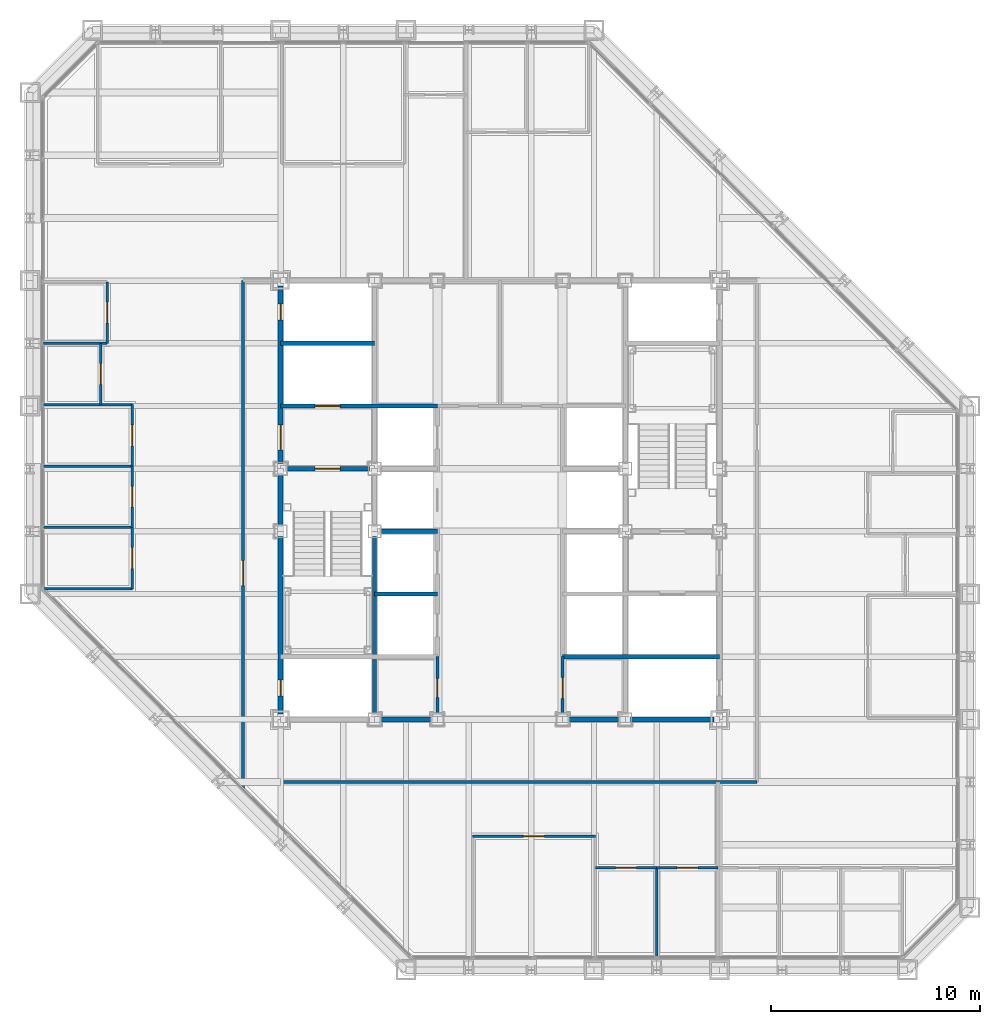
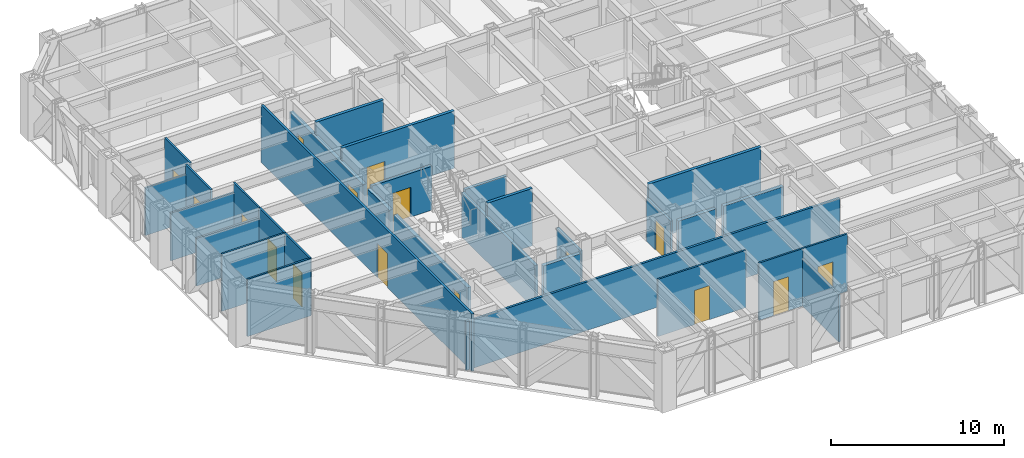
# One storey, part 10 of 16: 31 walls, 16 doors, 16 openings.
"""IFC4 building model written with IfcOpenShell, lengths in metres."""

from ifc_helpers import new_model, si_unit, direction, frame, frame_2d, origin, place, context, subcontext, project, spatial, rectangle, extrude, material, layer, layer_set, type_object, element, fill, save


model = new_model("IFC4")

# Units and contexts
model_context = context("Model", 3, precision=1e-05, world=origin(), true_north=direction((0.0, 1.0)))
body_context = subcontext(model_context, "Body", "Model", "MODEL_VIEW")
ifc_project = project(units=[si_unit("LENGTHUNIT", "METRE"), si_unit("AREAUNIT", "SQUARE_METRE"), si_unit("VOLUMEUNIT", "CUBIC_METRE"), si_unit("PLANEANGLEUNIT", "RADIAN"), si_unit("MASSUNIT", "GRAM", prefix="KILO")], contexts=[model_context])

# Site, building, storey
site_placement = place(None, origin())
site = spatial("IfcSite", under=ifc_project, at=site_placement, CompositionType="ELEMENT")
building_placement = place(site_placement, origin())
building = spatial("IfcBuilding", under=site, at=building_placement, Name="Chuquiago Exchange Tower", CompositionType="ELEMENT")
storey_placement = place(building_placement, frame((0.0, 0.0, 161.39990234375)))
storey = spatial("IfcBuildingStorey", under=building, at=storey_placement, Name="L35", CompositionType="ELEMENT", Elevation=161.39990234375)

# Wall, opening, door
ifc_material_1 = material(Name="Concrete masonry, fully grouted", Category="masonry")
ifc_layer_1 = layer(ifc_material_1, 0.25)
ifc_layer_set_1 = layer_set([ifc_layer_1], Name="W1 core wall 250")
wall_type_1 = type_object("IfcWallType", Name="W1 core wall 250", PredefinedType="SOLIDWALL", material=ifc_layer_set_1)
wall_1_placement = place(storey_placement, frame((12.0, 12.25, 0.0), z_axis=(0.0, 0.0, 1.0), x_axis=(0.0, 1.0, 0.0)))
wall_1 = element("IfcWall", 1, at=wall_1_placement, inside=storey, type_object=wall_type_1, Name="CW-L35-00-0", PredefinedType="SOLIDWALL", context=body_context, shape_type="SweptSolid", body=[
    extrude(rectangle(XDim=8.5, YDim=0.25, at=frame_2d((4.25, 0.0))), origin(), (0.0, 0.0, 1.0), 3.113037109375),
])
opening_1_placement = place(wall_1_placement, frame((0.875, 0.0, 0.0)))
opening_1 = element("IfcOpeningElement", 2, at=opening_1_placement, cuts=wall_1, Name="Opening L35-007", PredefinedType="OPENING", context=body_context, shape_type="SweptSolid", body=[
    extrude(rectangle(XDim=0.75, YDim=2.10009765625, at=frame_2d((0.375, 1.050048828125))), frame((0.0, 0.135009765625, 0.0), z_axis=(0.0, -1.0, 0.0), x_axis=(1.0, 0.0, 0.0)), (0.0, 0.0, 1.0), 0.27001953125),
])
ifc_material_2 = material(Name="Steel door, painted", Category="steel")
door_type_1 = type_object("IfcDoorType", Name="D6 riser access door 750x2100", OperationType="SINGLE_SWING_LEFT", PredefinedType="DOOR", material=ifc_material_2)
door_1_placement = place(opening_1_placement, frame((0.75, 0.0, 0.0), z_axis=(0.0, 0.0, 1.0), x_axis=(-1.0, 0.0, 0.0)))
door_1 = element("IfcDoor", 3, at=door_1_placement, inside=storey, type_object=door_type_1, Name="Riser RW1 door", OperationType="SINGLE_SWING_RIGHT", OverallHeight=2.10009765625, OverallWidth=0.75, PredefinedType="DOOR", context=body_context, shape_type="SweptSolid", body=[
    extrude(rectangle(XDim=0.75, YDim=2.10009765625, at=frame_2d((0.375, 1.050048828125))), frame((0.0, 0.02490234375, 0.0), z_axis=(0.0, -1.0, 0.0), x_axis=(1.0, 0.0, 0.0)), (0.0, 0.0, 1.0), 0.050048828125),
])
fill(opening_1, door_1)

# Wall
wall_2_placement = place(storey_placement, frame((12.0, 21.25, 0.0), z_axis=(0.0, 0.0, 1.0), x_axis=(0.0, 1.0, 0.0)))
element("IfcWall", 4, at=wall_2_placement, inside=storey, type_object=wall_type_1, Name="CW-L35-00-1", PredefinedType="SOLIDWALL", context=body_context, shape_type="SweptSolid", body=[
    extrude(rectangle(XDim=2.5, YDim=0.25, at=frame_2d((1.25, 0.0))), origin(), (0.0, 0.0, 1.0), 3.113037109375),
])

# Wall, openings, doors
wall_3_placement = place(storey_placement, frame((12.0, 24.25, 0.0), z_axis=(0.0, 0.0, 1.0), x_axis=(0.0, 1.0, 0.0)))
wall_3 = element("IfcWall", 5, at=wall_3_placement, inside=storey, type_object=wall_type_1, Name="CW-L35-00-2", PredefinedType="SOLIDWALL", context=body_context, shape_type="SweptSolid", body=[
    extrude(rectangle(XDim=8.5, YDim=0.25, at=frame_2d((4.25, 0.0))), origin(), (0.0, 0.0, 1.0), 3.113037109375),
])
opening_2_placement = place(wall_3_placement, frame((0.64990234375, 0.0, 0.0)))
opening_2 = element("IfcOpeningElement", 6, at=opening_2_placement, cuts=wall_3, Name="Opening L35-002", PredefinedType="OPENING", context=body_context, shape_type="SweptSolid", body=[
    extrude(rectangle(XDim=1.199951171875, YDim=2.10009765625, at=frame_2d((0.60009765625, 1.050048828125))), frame((0.0, 0.135009765625, 0.0), z_axis=(0.0, -1.0, 0.0), x_axis=(1.0, 0.0, 0.0)), (0.0, 0.0, 1.0), 0.27001953125),
])
opening_3_placement = place(wall_3_placement, frame((6.875, 0.0, 0.0)))
opening_3 = element("IfcOpeningElement", 7, at=opening_3_placement, cuts=wall_3, Name="Opening L35-008", PredefinedType="OPENING", context=body_context, shape_type="SweptSolid", body=[
    extrude(rectangle(XDim=0.75, YDim=2.10009765625, at=frame_2d((0.375, 1.050048828125))), frame((0.0, 0.135009765625, 0.0), z_axis=(0.0, -1.0, 0.0), x_axis=(1.0, 0.0, 0.0)), (0.0, 0.0, 1.0), 0.27001953125),
])
ifc_material_3 = material(Name="Steel door, painted", Category="steel")
door_type_2 = type_object("IfcDoorType", Name="D5 firefighting lobby door 1200x2100", OperationType="SINGLE_SWING_LEFT", PredefinedType="DOOR", material=ifc_material_3)
door_2_placement = place(opening_2_placement, frame((1.199951171875, 0.0, 0.0), z_axis=(0.0, 0.0, 1.0), x_axis=(-1.0, 0.0, 0.0)))
door_2 = element("IfcDoor", 8, at=door_2_placement, inside=storey, type_object=door_type_2, Name="Firefighting lobby 1 door", OperationType="SINGLE_SWING_RIGHT", OverallHeight=2.10009765625, OverallWidth=1.199951171875, PredefinedType="DOOR", context=body_context, shape_type="SweptSolid", body=[
    extrude(rectangle(XDim=1.199951171875, YDim=2.10009765625, at=frame_2d((0.60009765625, 1.050048828125))), frame((0.0, 0.02490234375, 0.0), z_axis=(0.0, -1.0, 0.0), x_axis=(1.0, 0.0, 0.0)), (0.0, 0.0, 1.0), 0.050048828125),
])
fill(opening_2, door_2)
door_3_placement = place(opening_3_placement, frame((0.75, 0.0, 0.0), z_axis=(0.0, 0.0, 1.0), x_axis=(-1.0, 0.0, 0.0)))
door_3 = element("IfcDoor", 9, at=door_3_placement, inside=storey, type_object=door_type_1, Name="Riser RW2 door", OperationType="SINGLE_SWING_LEFT", OverallHeight=2.10009765625, OverallWidth=0.75, PredefinedType="DOOR", context=body_context, shape_type="SweptSolid", body=[
    extrude(rectangle(XDim=0.75, YDim=2.10009765625, at=frame_2d((0.375, 1.050048828125))), frame((0.0, 0.02490234375, 0.0), z_axis=(0.0, -1.0, 0.0), x_axis=(1.0, 0.0, 0.0)), (0.0, 0.0, 1.0), 0.050048828125),
])
fill(opening_3, door_3)

# Walls
for number, where, z_axis, x_axis, name in (
    (10, (16.75, 12.0, 0.0), (0.0, 0.0, 1.0), (1.0, 0.0, 0.0), "CW-L35-01-1"),
    (11, (25.75, 12.0, 0.0), (0.0, 0.0, 1.0), (1.0, 0.0, 0.0), "CW-L35-02-0"),
):
    element("IfcWall", number, at=place(storey_placement, frame(where, z_axis=z_axis, x_axis=x_axis)), inside=storey, type_object=wall_type_1, Name=name, PredefinedType="SOLIDWALL", context=body_context, shape_type="SweptSolid", body=[
        extrude(rectangle(XDim=2.5, YDim=0.25, at=frame_2d((1.25, 0.0))), origin(), (0.0, 0.0, 1.0), 3.181640625),
    ])
wall_4_placement = place(storey_placement, frame((28.75, 12.0, 0.0), z_axis=(0.0, 0.0, 1.0), x_axis=(1.0, 0.0, 0.0)))
element("IfcWall", 12, at=wall_4_placement, inside=storey, type_object=wall_type_1, Name="CW-L35-02-1", PredefinedType="SOLIDWALL", context=body_context, shape_type="SweptSolid", body=[
    extrude(rectangle(XDim=4.0, YDim=0.25, at=frame_2d((2.0, 0.0))), origin(), (0.0, 0.0, 1.0), 3.181640625),
])
ifc_material_4 = material(Name="Gypsum board on steel studs, acoustic insulation", Category="steel")
ifc_layer_2 = layer(ifc_material_4, 0.14990234375)
ifc_layer_set_2 = layer_set([ifc_layer_2], Name="W11 corridor wall 150")
wall_type_2 = type_object("IfcWallType", Name="W11 corridor wall 150", PredefinedType="PARTITIONING", material=ifc_layer_set_2)
wall_5_placement = place(storey_placement, frame((9.885498046875, 9.0, 0.0), z_axis=(0.0, 0.0, 1.0), x_axis=(1.0, 0.0, 0.0)))
element("IfcWall", 13, at=wall_5_placement, inside=storey, type_object=wall_type_2, Name="PW-L35-CS", PredefinedType="PARTITIONING", context=body_context, shape_type="SweptSolid", body=[
    extrude(rectangle(XDim=24.91455078125, YDim=0.14990234375, at=frame_2d((12.457275390625, 0.0))), origin(), (0.0, 0.0, 1.0), 3.427978515625),
])

# Wall, opening, door
wall_6_placement = place(storey_placement, frame((10.199951171875, 8.685546875, 0.0), z_axis=(0.0, 0.0, 1.0), x_axis=(0.0, 1.0, 0.0)))
wall_6 = element("IfcWall", 14, at=wall_6_placement, inside=storey, type_object=wall_type_2, Name="PW-L35-CW", PredefinedType="PARTITIONING", context=body_context, shape_type="SweptSolid", body=[
    extrude(rectangle(XDim=24.314453125, YDim=0.14990234375, at=frame_2d((12.1572265625, 0.0))), origin(), (0.0, 0.0, 1.0), 4.0400390625),
])
opening_4_placement = place(wall_6_placement, frame((9.714599609375, 0.0, 0.0)))
opening_4 = element("IfcOpeningElement", 15, at=opening_4_placement, cuts=wall_6, Name="Opening L35-040", PredefinedType="OPENING", context=body_context, shape_type="SweptSolid", body=[
    extrude(rectangle(XDim=1.199951171875, YDim=2.39990234375, at=frame_2d((0.60009765625, 1.199951171875))), frame((0.0, 0.0849609375, 0.0), z_axis=(0.0, -1.0, 0.0), x_axis=(1.0, 0.0, 0.0)), (0.0, 0.0, 1.0), 0.169921875),
])
ifc_material_5 = material(Name="Timber door, laminate faced", Category="wood")
door_type_3 = type_object("IfcDoorType", Name="D13 suite entrance door 1200x2400", OperationType="SINGLE_SWING_LEFT", PredefinedType="DOOR", material=ifc_material_5)
door_4_placement = place(opening_4_placement, origin())
door_4 = element("IfcDoor", 16, at=door_4_placement, inside=storey, type_object=door_type_3, Name="West suite entrance door", OperationType="SINGLE_SWING_LEFT", OverallHeight=2.39990234375, OverallWidth=1.199951171875, PredefinedType="DOOR", context=body_context, shape_type="SweptSolid", body=[
    extrude(rectangle(XDim=1.199951171875, YDim=2.39990234375, at=frame_2d((0.60009765625, 1.199951171875))), frame((0.0, 0.02490234375, 0.0), z_axis=(0.0, -1.0, 0.0), x_axis=(1.0, 0.0, 0.0)), (0.0, 0.0, 1.0), 0.050048828125),
])
fill(opening_4, door_4)

# Wall
ifc_material_6 = material(Name="Concrete masonry, fully grouted", Category="masonry")
ifc_layer_3 = layer(ifc_material_6, 0.199951171875)
ifc_layer_set_3 = layer_set([ifc_layer_3], Name="W2 shaft wall 200")
wall_type_3 = type_object("IfcWallType", Name="W2 shaft wall 200", PredefinedType="SOLIDWALL", material=ifc_layer_set_3)
wall_7_placement = place(storey_placement, frame((25.5, 15.0, 0.0), z_axis=(0.0, 0.0, 1.0), x_axis=(1.0, 0.0, 0.0)))
element("IfcWall", 17, at=wall_7_placement, inside=storey, type_object=wall_type_3, Name="CW-L35-04-0", PredefinedType="SOLIDWALL", context=body_context, shape_type="SweptSolid", body=[
    extrude(rectangle(XDim=7.5, YDim=0.199951171875, at=frame_2d((3.75, 0.0))), origin(), (0.0, 0.0, 1.0), 4.0400390625),
])

# Wall, opening, door
wall_8_placement = place(storey_placement, frame((12.25, 24.0, 0.0), z_axis=(0.0, 0.0, 1.0), x_axis=(1.0, 0.0, 0.0)))
wall_8 = element("IfcWall", 18, at=wall_8_placement, inside=storey, type_object=wall_type_3, Name="CW-L35-05-0", PredefinedType="SOLIDWALL", context=body_context, shape_type="SweptSolid", body=[
    extrude(rectangle(XDim=4.0, YDim=0.199951171875, at=frame_2d((2.0, 0.0))), origin(), (0.0, 0.0, 1.0), 3.090087890625),
])
opening_5_placement = place(wall_8_placement, frame((1.39990234375, 0.0, 0.0)))
opening_5 = element("IfcOpeningElement", 19, at=opening_5_placement, cuts=wall_8, Name="Opening L35-001", PredefinedType="OPENING", context=body_context, shape_type="SweptSolid", body=[
    extrude(rectangle(XDim=1.199951171875, YDim=2.10009765625, at=frame_2d((0.60009765625, 1.050048828125))), frame((0.0, 0.10986328125, 0.0), z_axis=(0.0, -1.0, 0.0), x_axis=(1.0, 0.0, 0.0)), (0.0, 0.0, 1.0), 0.219970703125),
])
ifc_material_7 = material(Name="Steel door, painted", Category="steel")
door_type_4 = type_object("IfcDoorType", Name="D4 stair door 1200x2100", OperationType="SINGLE_SWING_LEFT", PredefinedType="DOOR", material=ifc_material_7)
door_5_placement = place(opening_5_placement, frame((1.199951171875, 0.0, 0.0), z_axis=(0.0, 0.0, 1.0), x_axis=(-1.0, 0.0, 0.0)))
door_5 = element("IfcDoor", 20, at=door_5_placement, inside=storey, type_object=door_type_4, Name="Stair ST1 door", OperationType="SINGLE_SWING_RIGHT", OverallHeight=2.10009765625, OverallWidth=1.199951171875, PredefinedType="DOOR", context=body_context, shape_type="SweptSolid", body=[
    extrude(rectangle(XDim=1.199951171875, YDim=2.10009765625, at=frame_2d((0.60009765625, 1.050048828125))), frame((0.0, 0.02490234375, 0.0), z_axis=(0.0, -1.0, 0.0), x_axis=(1.0, 0.0, 0.0)), (0.0, 0.0, 1.0), 0.050048828125),
])
fill(opening_5, door_5)

wall_9_placement = place(storey_placement, frame((12.0, 27.0, 0.0), z_axis=(0.0, 0.0, 1.0), x_axis=(1.0, 0.0, 0.0)))
wall_9 = element("IfcWall", 21, at=wall_9_placement, inside=storey, type_object=wall_type_3, Name="CW-L35-07-0", PredefinedType="SOLIDWALL", context=body_context, shape_type="SweptSolid", body=[
    extrude(rectangle(XDim=7.5, YDim=0.199951171875, at=frame_2d((3.75, 0.0))), origin(), (0.0, 0.0, 1.0), 4.0400390625),
])
opening_6_placement = place(wall_9_placement, frame((1.64990234375, 0.0, 0.0)))
opening_6 = element("IfcOpeningElement", 22, at=opening_6_placement, cuts=wall_9, Name="Opening L35-005", PredefinedType="OPENING", context=body_context, shape_type="SweptSolid", body=[
    extrude(rectangle(XDim=1.199951171875, YDim=2.10009765625, at=frame_2d((0.60009765625, 1.050048828125))), frame((0.0, 0.10986328125, 0.0), z_axis=(0.0, -1.0, 0.0), x_axis=(1.0, 0.0, 0.0)), (0.0, 0.0, 1.0), 0.219970703125),
])
ifc_material_8 = material(Name="Stainless steel lift landing door", Category="steel")
door_type_5 = type_object("IfcDoorType", Name="LD2 firefighting lift landing door 1200x2100", OperationType="DOUBLE_DOOR_SLIDING", PredefinedType="DOOR", material=ifc_material_8)
door_6_placement = place(opening_6_placement, origin())
door_6 = element("IfcDoor", 23, at=door_6_placement, inside=storey, type_object=door_type_5, Name="Firefighting lift FL1 landing door", OperationType="DOUBLE_DOOR_SLIDING", OverallHeight=2.10009765625, OverallWidth=1.199951171875, PredefinedType="DOOR", context=body_context, shape_type="SweptSolid", body=[
    extrude(rectangle(XDim=1.199951171875, YDim=2.10009765625, at=frame_2d((0.60009765625, 1.050048828125))), frame((0.0, 0.02490234375, 0.0), z_axis=(0.0, -1.0, 0.0), x_axis=(1.0, 0.0, 0.0)), (0.0, 0.0, 1.0), 0.050048828125),
])
fill(opening_6, door_6)

# Walls
wall_10_placement = place(storey_placement, frame((12.0, 30.0, 0.0), z_axis=(0.0, 0.0, 1.0), x_axis=(1.0, 0.0, 0.0)))
element("IfcWall", 24, at=wall_10_placement, inside=storey, type_object=wall_type_3, Name="CW-L35-09-0", PredefinedType="SOLIDWALL", context=body_context, shape_type="SweptSolid", body=[
    extrude(rectangle(XDim=4.5, YDim=0.199951171875, at=frame_2d((2.25, 0.0))), origin(), (0.0, 0.0, 1.0), 4.0400390625),
])
wall_11_placement = place(storey_placement, frame((16.5, 12.25, 0.0), z_axis=(0.0, 0.0, 1.0), x_axis=(0.0, 1.0, 0.0)))
element("IfcWall", 25, at=wall_11_placement, inside=storey, type_object=wall_type_3, Name="CW-L35-13-0", PredefinedType="SOLIDWALL", context=body_context, shape_type="SweptSolid", body=[
    extrude(rectangle(XDim=8.5, YDim=0.199951171875, at=frame_2d((4.25, 0.0))), origin(), (0.0, 0.0, 1.0), 3.113037109375),
])
wall_12_placement = place(storey_placement, frame((16.5, 18.0, 0.0), z_axis=(0.0, 0.0, 1.0), x_axis=(1.0, 0.0, 0.0)))
element("IfcWall", 26, at=wall_12_placement, inside=storey, type_object=wall_type_3, Name="CW-L35-14-0", PredefinedType="SOLIDWALL", context=body_context, shape_type="SweptSolid", body=[
    extrude(rectangle(XDim=3.0, YDim=0.199951171875, at=frame_2d((1.5, 0.0))), origin(), (0.0, 0.0, 1.0), 4.0400390625),
])
wall_13_placement = place(storey_placement, frame((16.75, 21.0, 0.0), z_axis=(0.0, 0.0, 1.0), x_axis=(1.0, 0.0, 0.0)))
element("IfcWall", 27, at=wall_13_placement, inside=storey, type_object=wall_type_3, Name="CW-L35-16-0", PredefinedType="SOLIDWALL", context=body_context, shape_type="SweptSolid", body=[
    extrude(rectangle(XDim=2.75, YDim=0.199951171875, at=frame_2d((1.375, 0.0))), origin(), (0.0, 0.0, 1.0), 3.090087890625),
])

# Wall, opening, door
ifc_material_9 = material(Name="Gypsum board on steel studs", Category="steel")
ifc_layer_4 = layer(ifc_material_9, 0.14990234375)
ifc_layer_set_4 = layer_set([ifc_layer_4], Name="W3 core partition 150")
wall_type_4 = type_object("IfcWallType", Name="W3 core partition 150", PredefinedType="PARTITIONING", material=ifc_layer_set_4)
wall_14_placement = place(storey_placement, frame((19.5, 12.25, 0.0), z_axis=(0.0, 0.0, 1.0), x_axis=(0.0, 1.0, 0.0)))
wall_14 = element("IfcWall", 28, at=wall_14_placement, inside=storey, type_object=wall_type_4, Name="CW-L35-18-0", PredefinedType="PARTITIONING", context=body_context, shape_type="SweptSolid", body=[
    extrude(rectangle(XDim=2.75, YDim=0.14990234375, at=frame_2d((1.375, 0.0))), origin(), (0.0, 0.0, 1.0), 3.064697265625),
])
opening_7_placement = place(wall_14_placement, frame((0.800048828125, 0.0, 0.0)))
opening_7 = element("IfcOpeningElement", 29, at=opening_7_placement, cuts=wall_14, Name="Opening L35-014", PredefinedType="OPENING", context=body_context, shape_type="SweptSolid", body=[
    extrude(rectangle(XDim=0.89990234375, YDim=2.10009765625, at=frame_2d((0.449951171875, 1.050048828125))), frame((0.0, 0.0849609375, 0.0), z_axis=(0.0, -1.0, 0.0), x_axis=(1.0, 0.0, 0.0)), (0.0, 0.0, 1.0), 0.169921875),
])
ifc_material_10 = material(Name="Timber door, laminate faced", Category="wood")
door_type_6 = type_object("IfcDoorType", Name="D7 toilet door 900x2100", OperationType="SINGLE_SWING_LEFT", PredefinedType="DOOR", material=ifc_material_10)
door_7_placement = place(opening_7_placement, frame((0.89990234375, 0.0, 0.0), z_axis=(0.0, 0.0, 1.0), x_axis=(-1.0, 0.0, 0.0)))
door_7 = element("IfcDoor", 30, at=door_7_placement, inside=storey, type_object=door_type_6, Name="Cleaner door", OperationType="SINGLE_SWING_RIGHT", OverallHeight=2.10009765625, OverallWidth=0.89990234375, PredefinedType="DOOR", context=body_context, shape_type="SweptSolid", body=[
    extrude(rectangle(XDim=0.89990234375, YDim=2.10009765625, at=frame_2d((0.449951171875, 1.050048828125))), frame((0.0, 0.02490234375, 0.0), z_axis=(0.0, -1.0, 0.0), x_axis=(1.0, 0.0, 0.0)), (0.0, 0.0, 1.0), 0.050048828125),
])
fill(opening_7, door_7)

wall_15_placement = place(storey_placement, frame((25.5, 12.25, 0.0), z_axis=(0.0, 0.0, 1.0), x_axis=(0.0, 1.0, 0.0)))
wall_15 = element("IfcWall", 31, at=wall_15_placement, inside=storey, type_object=wall_type_4, Name="CW-L35-21-0", PredefinedType="PARTITIONING", context=body_context, shape_type="SweptSolid", body=[
    extrude(rectangle(XDim=2.75, YDim=0.14990234375, at=frame_2d((1.375, 0.0))), origin(), (0.0, 0.0, 1.0), 3.064697265625),
])
opening_8_placement = place(wall_15_placement, frame((0.75, 0.0, 0.0)))
opening_8 = element("IfcOpeningElement", 32, at=opening_8_placement, cuts=wall_15, Name="Opening L35-013", PredefinedType="OPENING", context=body_context, shape_type="SweptSolid", body=[
    extrude(rectangle(XDim=1.0, YDim=2.10009765625, at=frame_2d((0.5, 1.050048828125))), frame((0.0, 0.0849609375, 0.0), z_axis=(0.0, -1.0, 0.0), x_axis=(1.0, 0.0, 0.0)), (0.0, 0.0, 1.0), 0.169921875),
])
ifc_material_11 = material(Name="Timber door, laminate faced", Category="wood")
door_type_7 = type_object("IfcDoorType", Name="D8 accessible toilet door 1000x2100", OperationType="SLIDING_TO_LEFT", PredefinedType="DOOR", material=ifc_material_11)
door_8_placement = place(opening_8_placement, origin())
door_8 = element("IfcDoor", 33, at=door_8_placement, inside=storey, type_object=door_type_7, Name="Accessible WC door", OperationType="SLIDING_TO_LEFT", OverallHeight=2.10009765625, OverallWidth=1.0, PredefinedType="DOOR", context=body_context, shape_type="SweptSolid", body=[
    extrude(rectangle(XDim=1.0, YDim=2.10009765625, at=frame_2d((0.5, 1.050048828125))), frame((0.0, 0.02490234375, 0.0), z_axis=(0.0, -1.0, 0.0), x_axis=(1.0, 0.0, 0.0)), (0.0, 0.0, 1.0), 0.050048828125),
])
fill(opening_8, door_8)

# Wall
ifc_material_12 = material(Name="Gypsum board on steel studs", Category="steel")
ifc_layer_5 = layer(ifc_material_12, 0.1201171875)
ifc_layer_set_5 = layer_set([ifc_layer_5], Name="W4 partition 120")
wall_type_5 = type_object("IfcWallType", Name="W4 partition 120", PredefinedType="PARTITIONING", material=ifc_layer_set_5)
wall_16_placement = place(storey_placement, frame((30.0, 0.652587890625, 0.0), z_axis=(0.0, 0.0, 1.0), x_axis=(0.0, 1.0, 0.0)))
element("IfcWall", 34, at=wall_16_placement, inside=storey, type_object=wall_type_5, Name="PW-L35-S03000", PredefinedType="PARTITIONING", context=body_context, shape_type="SweptSolid", body=[
    extrude(rectangle(XDim=4.247314453125, YDim=0.1201171875, at=frame_2d((2.12353515625, 0.0))), origin(), (0.0, 0.0, 1.0), 3.35693359375),
])

# Wall, opening, door
wall_17_placement = place(storey_placement, frame((21.186279296875, 6.39990234375, 0.0), z_axis=(0.0, 0.0, 1.0), x_axis=(1.0, 0.0, 0.0)))
wall_17 = element("IfcWall", 35, at=wall_17_placement, inside=storey, type_object=wall_type_5, Name="PW-L35-SF02119", PredefinedType="PARTITIONING", context=body_context, shape_type="SweptSolid", body=[
    extrude(rectangle(XDim=5.875732421875, YDim=0.1201171875, at=frame_2d((2.93798828125, 0.0))), origin(), (0.0, 0.0, 1.0), 4.0400390625),
])
opening_9_placement = place(wall_17_placement, frame((2.43798828125, 0.0, 0.0)))
opening_9 = element("IfcOpeningElement", 36, at=opening_9_placement, cuts=wall_17, Name="Opening L35-019", PredefinedType="OPENING", context=body_context, shape_type="SweptSolid", body=[
    extrude(rectangle(XDim=1.0, YDim=2.39990234375, at=frame_2d((0.5, 1.199951171875))), frame((0.0, 0.070068359375, 0.0), z_axis=(0.0, -1.0, 0.0), x_axis=(1.0, 0.0, 0.0)), (0.0, 0.0, 1.0), 0.14013671875),
])
ifc_material_13 = material(Name="Timber door, laminate faced", Category="wood")
door_type_8 = type_object("IfcDoorType", Name="D9 room door 1000x2400", OperationType="SINGLE_SWING_LEFT", PredefinedType="DOOR", material=ifc_material_13)
door_9_placement = place(opening_9_placement, frame((1.0, 0.0, 0.0), z_axis=(0.0, 0.0, 1.0), x_axis=(-1.0, 0.0, 0.0)))
door_9 = element("IfcDoor", 37, at=door_9_placement, inside=storey, type_object=door_type_8, Name="Investor relations office door", OperationType="SINGLE_SWING_LEFT", OverallHeight=2.39990234375, OverallWidth=1.0, PredefinedType="DOOR", context=body_context, shape_type="SweptSolid", body=[
    extrude(rectangle(XDim=1.0, YDim=2.39990234375, at=frame_2d((0.5, 1.199951171875))), frame((0.0, 0.02490234375, 0.0), z_axis=(0.0, -1.0, 0.0), x_axis=(1.0, 0.0, 0.0)), (0.0, 0.0, 1.0), 0.050048828125),
])
fill(opening_9, door_9)

wall_18_placement = place(storey_placement, frame((27.06201171875, 4.89990234375, 0.0), z_axis=(0.0, 0.0, 1.0), x_axis=(1.0, 0.0, 0.0)))
wall_18 = element("IfcWall", 38, at=wall_18_placement, inside=storey, type_object=wall_type_5, Name="PW-L35-SF02706", PredefinedType="PARTITIONING", context=body_context, shape_type="SweptSolid", body=[
    extrude(rectangle(XDim=2.93798828125, YDim=0.1201171875, at=frame_2d((1.468994140625, 0.0))), origin(), (0.0, 0.0, 1.0), 4.0400390625),
])
opening_10_placement = place(wall_18_placement, frame((0.968994140625, 0.0, 0.0)))
opening_10 = element("IfcOpeningElement", 39, at=opening_10_placement, cuts=wall_18, Name="Opening L35-020", PredefinedType="OPENING", context=body_context, shape_type="SweptSolid", body=[
    extrude(rectangle(XDim=1.0, YDim=2.39990234375, at=frame_2d((0.5, 1.199951171875))), frame((0.0, 0.070068359375, 0.0), z_axis=(0.0, -1.0, 0.0), x_axis=(1.0, 0.0, 0.0)), (0.0, 0.0, 1.0), 0.14013671875),
])
door_10_placement = place(opening_10_placement, frame((1.0, 0.0, 0.0), z_axis=(0.0, 0.0, 1.0), x_axis=(-1.0, 0.0, 0.0)))
door_10 = element("IfcDoor", 40, at=door_10_placement, inside=storey, type_object=door_type_8, Name="Office door", OperationType="SINGLE_SWING_RIGHT", OverallHeight=2.39990234375, OverallWidth=1.0, PredefinedType="DOOR", context=body_context, shape_type="SweptSolid", body=[
    extrude(rectangle(XDim=1.0, YDim=2.39990234375, at=frame_2d((0.5, 1.199951171875))), frame((0.0, 0.02490234375, 0.0), z_axis=(0.0, -1.0, 0.0), x_axis=(1.0, 0.0, 0.0)), (0.0, 0.0, 1.0), 0.050048828125),
])
fill(opening_10, door_10)

wall_19_placement = place(storey_placement, frame((30.0, 4.89990234375, 0.0), z_axis=(0.0, 0.0, 1.0), x_axis=(1.0, 0.0, 0.0)))
wall_19 = element("IfcWall", 41, at=wall_19_placement, inside=storey, type_object=wall_type_5, Name="PW-L35-SF03000", PredefinedType="PARTITIONING", context=body_context, shape_type="SweptSolid", body=[
    extrude(rectangle(XDim=2.93798828125, YDim=0.1201171875, at=frame_2d((1.468994140625, 0.0))), origin(), (0.0, 0.0, 1.0), 4.0400390625),
])
opening_11_placement = place(wall_19_placement, frame((0.968994140625, 0.0, 0.0)))
opening_11 = element("IfcOpeningElement", 42, at=opening_11_placement, cuts=wall_19, Name="Opening L35-021", PredefinedType="OPENING", context=body_context, shape_type="SweptSolid", body=[
    extrude(rectangle(XDim=1.0, YDim=2.39990234375, at=frame_2d((0.5, 1.199951171875))), frame((0.0, 0.070068359375, 0.0), z_axis=(0.0, -1.0, 0.0), x_axis=(1.0, 0.0, 0.0)), (0.0, 0.0, 1.0), 0.14013671875),
])
door_11_placement = place(opening_11_placement, frame((1.0, 0.0, 0.0), z_axis=(0.0, 0.0, 1.0), x_axis=(-1.0, 0.0, 0.0)))
door_11 = element("IfcDoor", 43, at=door_11_placement, inside=storey, type_object=door_type_8, Name="Office door", OperationType="SINGLE_SWING_LEFT", OverallHeight=2.39990234375, OverallWidth=1.0, PredefinedType="DOOR", context=body_context, shape_type="SweptSolid", body=[
    extrude(rectangle(XDim=1.0, YDim=2.39990234375, at=frame_2d((0.5, 1.199951171875))), frame((0.0, 0.02490234375, 0.0), z_axis=(0.0, -1.0, 0.0), x_axis=(1.0, 0.0, 0.0)), (0.0, 0.0, 1.0), 0.050048828125),
])
fill(opening_11, door_11)

# Walls
wall_20_placement = place(storey_placement, frame((0.666015625, 18.24853515625, 0.0), z_axis=(0.0, 0.0, 1.0), x_axis=(1.0, 0.0, 0.0)))
element("IfcWall", 44, at=wall_20_placement, inside=storey, type_object=wall_type_5, Name="PW-L35-W01825", PredefinedType="PARTITIONING", context=body_context, shape_type="SweptSolid", body=[
    extrude(rectangle(XDim=4.23388671875, YDim=0.1201171875, at=frame_2d((2.116943359375, 0.0))), origin(), (0.0, 0.0, 1.0), 4.0400390625),
])
wall_21_placement = place(storey_placement, frame((0.652587890625, 21.186279296875, 0.0), z_axis=(0.0, 0.0, 1.0), x_axis=(1.0, 0.0, 0.0)))
element("IfcWall", 45, at=wall_21_placement, inside=storey, type_object=wall_type_5, Name="PW-L35-W02119", PredefinedType="PARTITIONING", context=body_context, shape_type="SweptSolid", body=[
    extrude(rectangle(XDim=4.247314453125, YDim=0.1201171875, at=frame_2d((2.12353515625, 0.0))), origin(), (0.0, 0.0, 1.0), 4.0400390625),
])
for number, where, z_axis, x_axis, name in (
    (46, (0.652587890625, 24.124267578125, 0.0), (0.0, 0.0, 1.0), (1.0, 0.0, 0.0), "PW-L35-W02412"),
    (47, (0.652587890625, 27.06201171875, 0.0), (0.0, 0.0, 1.0), (1.0, 0.0, 0.0), "PW-L35-W02706"),
):
    element("IfcWall", number, at=place(storey_placement, frame(where, z_axis=z_axis, x_axis=x_axis)), inside=storey, type_object=wall_type_5, Name=name, PredefinedType="PARTITIONING", context=body_context, shape_type="SweptSolid", body=[
        extrude(rectangle(XDim=4.247314453125, YDim=0.1201171875, at=frame_2d((2.12353515625, 0.0))), origin(), (0.0, 0.0, 1.0), 3.35693359375),
    ])
wall_22_placement = place(storey_placement, frame((0.652587890625, 30.0, 0.0), z_axis=(0.0, 0.0, 1.0), x_axis=(1.0, 0.0, 0.0)))
element("IfcWall", 48, at=wall_22_placement, inside=storey, type_object=wall_type_5, Name="PW-L35-W03000", PredefinedType="PARTITIONING", context=body_context, shape_type="SweptSolid", body=[
    extrude(rectangle(XDim=3.04736328125, YDim=0.1201171875, at=frame_2d((1.523681640625, 0.0))), origin(), (0.0, 0.0, 1.0), 3.35693359375),
])

# Wall, opening, door
wall_23_placement = place(storey_placement, frame((4.89990234375, 18.24853515625, 0.0), z_axis=(0.0, 0.0, 1.0), x_axis=(0.0, 1.0, 0.0)))
wall_23 = element("IfcWall", 49, at=wall_23_placement, inside=storey, type_object=wall_type_5, Name="PW-L35-WF01825", PredefinedType="PARTITIONING", context=body_context, shape_type="SweptSolid", body=[
    extrude(rectangle(XDim=2.937744140625, YDim=0.1201171875, at=frame_2d((1.46875, 0.0))), origin(), (0.0, 0.0, 1.0), 4.0400390625),
])
opening_12_placement = place(wall_23_placement, frame((0.968994140625, 0.0, 0.0)))
opening_12 = element("IfcOpeningElement", 50, at=opening_12_placement, cuts=wall_23, Name="Opening L35-035", PredefinedType="OPENING", context=body_context, shape_type="SweptSolid", body=[
    extrude(rectangle(XDim=1.0, YDim=2.39990234375, at=frame_2d((0.5, 1.199951171875))), frame((0.0, 0.070068359375, 0.0), z_axis=(0.0, -1.0, 0.0), x_axis=(1.0, 0.0, 0.0)), (0.0, 0.0, 1.0), 0.14013671875),
])
door_12_placement = place(opening_12_placement, origin())
door_12 = element("IfcDoor", 51, at=door_12_placement, inside=storey, type_object=door_type_8, Name="Office door", OperationType="SINGLE_SWING_LEFT", OverallHeight=2.39990234375, OverallWidth=1.0, PredefinedType="DOOR", context=body_context, shape_type="SweptSolid", body=[
    extrude(rectangle(XDim=1.0, YDim=2.39990234375, at=frame_2d((0.5, 1.199951171875))), frame((0.0, 0.02490234375, 0.0), z_axis=(0.0, -1.0, 0.0), x_axis=(1.0, 0.0, 0.0)), (0.0, 0.0, 1.0), 0.050048828125),
])
fill(opening_12, door_12)

wall_24_placement = place(storey_placement, frame((4.89990234375, 21.186279296875, 0.0), z_axis=(0.0, 0.0, 1.0), x_axis=(0.0, 1.0, 0.0)))
wall_24 = element("IfcWall", 52, at=wall_24_placement, inside=storey, type_object=wall_type_5, Name="PW-L35-WF02119", PredefinedType="PARTITIONING", context=body_context, shape_type="SweptSolid", body=[
    extrude(rectangle(XDim=2.93798828125, YDim=0.1201171875, at=frame_2d((1.468994140625, 0.0))), origin(), (0.0, 0.0, 1.0), 4.0400390625),
])
opening_13_placement = place(wall_24_placement, frame((0.968994140625, 0.0, 0.0)))
opening_13 = element("IfcOpeningElement", 53, at=opening_13_placement, cuts=wall_24, Name="Opening L35-036", PredefinedType="OPENING", context=body_context, shape_type="SweptSolid", body=[
    extrude(rectangle(XDim=1.0, YDim=2.39990234375, at=frame_2d((0.5, 1.199951171875))), frame((0.0, 0.070068359375, 0.0), z_axis=(0.0, -1.0, 0.0), x_axis=(1.0, 0.0, 0.0)), (0.0, 0.0, 1.0), 0.14013671875),
])
door_13_placement = place(opening_13_placement, origin())
door_13 = element("IfcDoor", 54, at=door_13_placement, inside=storey, type_object=door_type_8, Name="Office door", OperationType="SINGLE_SWING_RIGHT", OverallHeight=2.39990234375, OverallWidth=1.0, PredefinedType="DOOR", context=body_context, shape_type="SweptSolid", body=[
    extrude(rectangle(XDim=1.0, YDim=2.39990234375, at=frame_2d((0.5, 1.199951171875))), frame((0.0, 0.02490234375, 0.0), z_axis=(0.0, -1.0, 0.0), x_axis=(1.0, 0.0, 0.0)), (0.0, 0.0, 1.0), 0.050048828125),
])
fill(opening_13, door_13)

wall_25_placement = place(storey_placement, frame((4.89990234375, 24.124267578125, 0.0), z_axis=(0.0, 0.0, 1.0), x_axis=(0.0, 1.0, 0.0)))
wall_25 = element("IfcWall", 55, at=wall_25_placement, inside=storey, type_object=wall_type_5, Name="PW-L35-WF02412", PredefinedType="PARTITIONING", context=body_context, shape_type="SweptSolid", body=[
    extrude(rectangle(XDim=2.937744140625, YDim=0.1201171875, at=frame_2d((1.46875, 0.0))), origin(), (0.0, 0.0, 1.0), 4.0400390625),
])
opening_14_placement = place(wall_25_placement, frame((0.968994140625, 0.0, 0.0)))
opening_14 = element("IfcOpeningElement", 56, at=opening_14_placement, cuts=wall_25, Name="Opening L35-037", PredefinedType="OPENING", context=body_context, shape_type="SweptSolid", body=[
    extrude(rectangle(XDim=1.0, YDim=2.39990234375, at=frame_2d((0.5, 1.199951171875))), frame((0.0, 0.070068359375, 0.0), z_axis=(0.0, -1.0, 0.0), x_axis=(1.0, 0.0, 0.0)), (0.0, 0.0, 1.0), 0.14013671875),
])
door_14_placement = place(opening_14_placement, origin())
door_14 = element("IfcDoor", 57, at=door_14_placement, inside=storey, type_object=door_type_8, Name="Office door", OperationType="SINGLE_SWING_RIGHT", OverallHeight=2.39990234375, OverallWidth=1.0, PredefinedType="DOOR", context=body_context, shape_type="SweptSolid", body=[
    extrude(rectangle(XDim=1.0, YDim=2.39990234375, at=frame_2d((0.5, 1.199951171875))), frame((0.0, 0.02490234375, 0.0), z_axis=(0.0, -1.0, 0.0), x_axis=(1.0, 0.0, 0.0)), (0.0, 0.0, 1.0), 0.050048828125),
])
fill(opening_14, door_14)

wall_26_placement = place(storey_placement, frame((3.39990234375, 27.06201171875, 0.0), z_axis=(0.0, 0.0, 1.0), x_axis=(0.0, 1.0, 0.0)))
wall_26 = element("IfcWall", 58, at=wall_26_placement, inside=storey, type_object=wall_type_5, Name="PW-L35-WF02706", PredefinedType="PARTITIONING", context=body_context, shape_type="SweptSolid", body=[
    extrude(rectangle(XDim=2.93798828125, YDim=0.1201171875, at=frame_2d((1.468994140625, 0.0))), origin(), (0.0, 0.0, 1.0), 4.0400390625),
])
opening_15_placement = place(wall_26_placement, frame((0.968994140625, 0.0, 0.0)))
opening_15 = element("IfcOpeningElement", 59, at=opening_15_placement, cuts=wall_26, Name="Opening L35-038", PredefinedType="OPENING", context=body_context, shape_type="SweptSolid", body=[
    extrude(rectangle(XDim=1.0, YDim=2.39990234375, at=frame_2d((0.5, 1.199951171875))), frame((0.0, 0.070068359375, 0.0), z_axis=(0.0, -1.0, 0.0), x_axis=(1.0, 0.0, 0.0)), (0.0, 0.0, 1.0), 0.14013671875),
])
door_15_placement = place(opening_15_placement, origin())
door_15 = element("IfcDoor", 60, at=door_15_placement, inside=storey, type_object=door_type_8, Name="Store door", OperationType="SINGLE_SWING_LEFT", OverallHeight=2.39990234375, OverallWidth=1.0, PredefinedType="DOOR", context=body_context, shape_type="SweptSolid", body=[
    extrude(rectangle(XDim=1.0, YDim=2.39990234375, at=frame_2d((0.5, 1.199951171875))), frame((0.0, 0.02490234375, 0.0), z_axis=(0.0, -1.0, 0.0), x_axis=(1.0, 0.0, 0.0)), (0.0, 0.0, 1.0), 0.050048828125),
])
fill(opening_15, door_15)

wall_27_placement = place(storey_placement, frame((3.699951171875, 30.0, 0.0), z_axis=(0.0, 0.0, 1.0), x_axis=(0.0, 1.0, 0.0)))
wall_27 = element("IfcWall", 61, at=wall_27_placement, inside=storey, type_object=wall_type_5, Name="PW-L35-WF03000", PredefinedType="PARTITIONING", context=body_context, shape_type="SweptSolid", body=[
    extrude(rectangle(XDim=2.93798828125, YDim=0.1201171875, at=frame_2d((1.468994140625, 0.0))), origin(), (0.0, 0.0, 1.0), 4.0400390625),
])
opening_16_placement = place(wall_27_placement, frame((0.968994140625, 0.0, 0.0)))
opening_16 = element("IfcOpeningElement", 62, at=opening_16_placement, cuts=wall_27, Name="Opening L35-039", PredefinedType="OPENING", context=body_context, shape_type="SweptSolid", body=[
    extrude(rectangle(XDim=1.0, YDim=2.39990234375, at=frame_2d((0.5, 1.199951171875))), frame((0.0, 0.070068359375, 0.0), z_axis=(0.0, -1.0, 0.0), x_axis=(1.0, 0.0, 0.0)), (0.0, 0.0, 1.0), 0.14013671875),
])
door_16_placement = place(opening_16_placement, origin())
door_16 = element("IfcDoor", 63, at=door_16_placement, inside=storey, type_object=door_type_8, Name="Pantry door", OperationType="SINGLE_SWING_LEFT", OverallHeight=2.39990234375, OverallWidth=1.0, PredefinedType="DOOR", context=body_context, shape_type="SweptSolid", body=[
    extrude(rectangle(XDim=1.0, YDim=2.39990234375, at=frame_2d((0.5, 1.199951171875))), frame((0.0, 0.02490234375, 0.0), z_axis=(0.0, -1.0, 0.0), x_axis=(1.0, 0.0, 0.0)), (0.0, 0.0, 1.0), 0.050048828125),
])
fill(opening_16, door_16)

save(model, "model.ifc")
